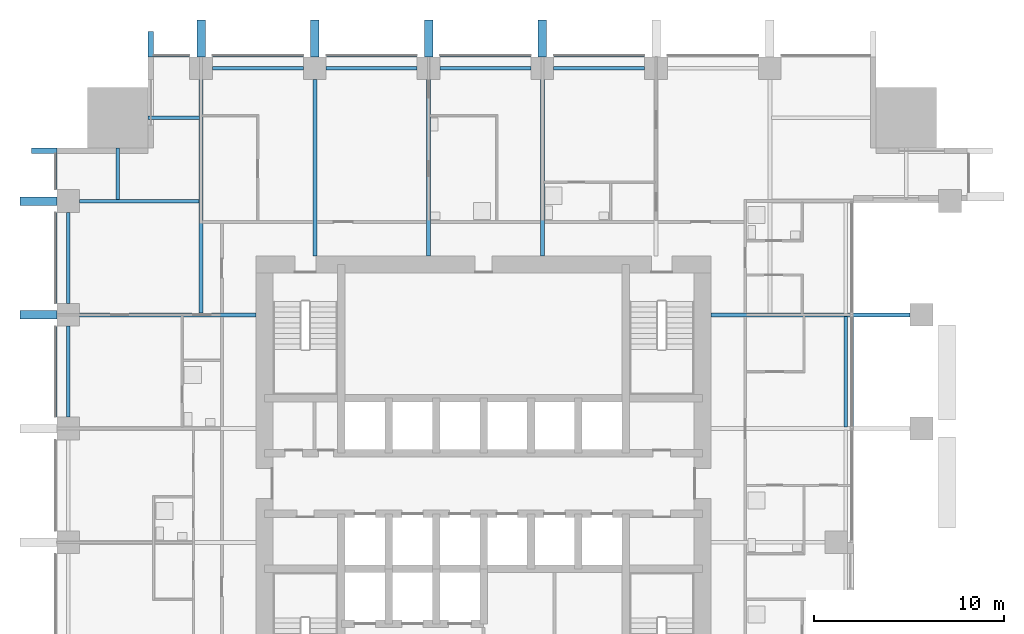
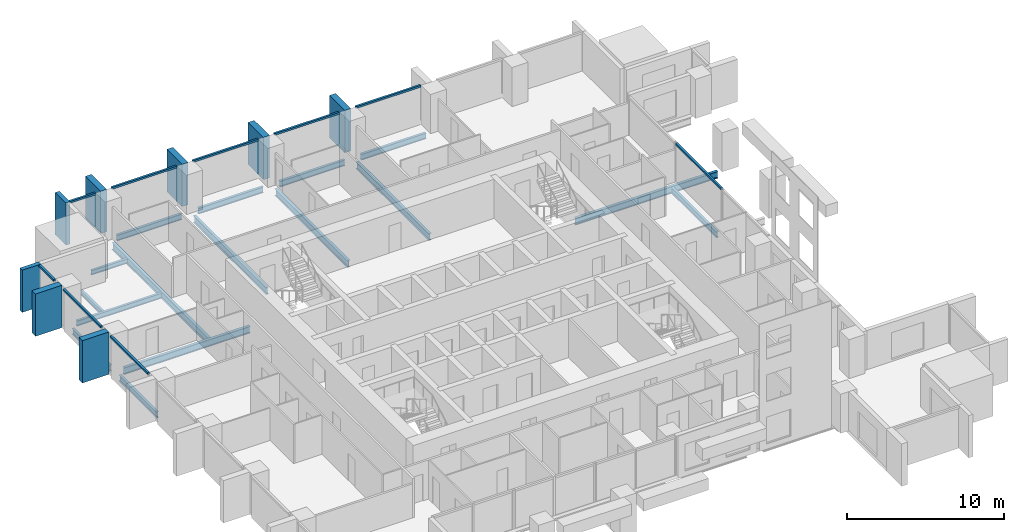
# One storey, part 4 of 13: 17 members, 16 beams, 3 elements without a shape of their own.
"""IFC4 building model written with IfcOpenShell, lengths in metres."""

from ifc_helpers import new_model, si_unit, direction, frame, origin, origin_2d, place, context, subcontext, project, spatial, rectangle, i_section, extrude, material, material_profile, profile_set, type_object, element, aggregate, save


model = new_model("IFC4")

# Units and contexts
model_context = context("Model", 3, precision=1e-05, world=origin(), true_north=direction((0.0, 1.0)))
body_context = subcontext(model_context, "Body", "Model", "MODEL_VIEW")
ifc_project = project(units=[si_unit("LENGTHUNIT", "METRE"), si_unit("AREAUNIT", "SQUARE_METRE"), si_unit("VOLUMEUNIT", "CUBIC_METRE"), si_unit("PLANEANGLEUNIT", "RADIAN"), si_unit("MASSUNIT", "GRAM", prefix="KILO")], contexts=[model_context])

# Site, building, storey
site_placement = place(None, origin())
site = spatial("IfcSite", under=ifc_project, at=site_placement, CompositionType="ELEMENT")
building_placement = place(site_placement, origin())
building = spatial("IfcBuilding", under=site, at=building_placement, Name="Amberfall Residences", CompositionType="ELEMENT")
storey_placement = place(building_placement, frame((0.0, 0.0, 56.5)))
storey = spatial("IfcBuildingStorey", under=building, at=storey_placement, Name="L15", CompositionType="ELEMENT", Elevation=56.5)

# Curtain wall, members
ifc_material_1 = material(Name="Bronze anodised aluminium and glass", Category="aluminium")
curtain_wall_type_1 = type_object("IfcCurtainWallType", Name="Curtain wall CW1 tower unit", PredefinedType="USERDEFINED", material=ifc_material_1)
curtain_wall_1_placement = place(storey_placement, origin())
curtain_wall_1 = element("IfcCurtainWall", 1, at=curtain_wall_1_placement, inside=storey, type_object=curtain_wall_type_1, Name="Curtain wall L15 N N1", ObjectType="UNITISED CURTAIN WALL", PredefinedType="USERDEFINED")
ifc_material_2 = material(Name="Bronze anodised aluminium", Category="aluminium")
ifc_material_profile_1 = material_profile(ifc_material_2, rectangle(XDim=0.14990234375, YDim=0.14990234375, at=origin_2d()), Name="CW1 transom 150 x 150 bronze")
ifc_profile_set_1 = profile_set([ifc_material_profile_1], Name="Bronze anodised aluminium")
member_type_1 = type_object("IfcMemberType", Name="CW1 transom 150 x 150 bronze", PredefinedType="USERDEFINED", material=ifc_profile_set_1)
member_1_placement = place(storey_placement, frame((82.9951171875, 68.074951171875, 2.97509765625), z_axis=(-1.0, 0.0, 0.0), x_axis=(0.0, -1.0, 0.0)))
member_1 = element("IfcMember", 2, at=member_1_placement, type_object=member_type_1, Name="CW1 transom 3.1", ObjectType="TRANSOM", PredefinedType="USERDEFINED", context=body_context, shape_type="SweptSolid", body=[
    extrude(rectangle(XDim=0.14990234375, YDim=0.14990234375, at=origin_2d()), origin(), (0.0, 0.0, 1.0), 4.7900390625),
])
member_2_placement = place(storey_placement, frame((76.9951171875, 68.074951171875, 2.97509765625), z_axis=(-1.0, 0.0, 0.0), x_axis=(0.0, -1.0, 0.0)))
member_2 = element("IfcMember", 3, at=member_2_placement, type_object=member_type_1, Name="CW1 transom 4.1", ObjectType="TRANSOM", PredefinedType="USERDEFINED", context=body_context, shape_type="SweptSolid", body=[
    extrude(rectangle(XDim=0.14990234375, YDim=0.14990234375, at=origin_2d()), origin(), (0.0, 0.0, 1.0), 4.7900390625),
])
member_3_placement = place(storey_placement, frame((70.9951171875, 68.074951171875, 2.97509765625), z_axis=(-1.0, 0.0, 0.0), x_axis=(0.0, -1.0, 0.0)))
member_3 = element("IfcMember", 4, at=member_3_placement, type_object=member_type_1, Name="CW1 transom 5.1", ObjectType="TRANSOM", PredefinedType="USERDEFINED", context=body_context, shape_type="SweptSolid", body=[
    extrude(rectangle(XDim=0.14990234375, YDim=0.14990234375, at=origin_2d()), origin(), (0.0, 0.0, 1.0), 4.7900390625),
])
member_4_placement = place(storey_placement, frame((64.9951171875, 68.074951171875, 2.97509765625), z_axis=(-1.0, 0.0, 0.0), x_axis=(0.0, -1.0, 0.0)))
member_4 = element("IfcMember", 5, at=member_4_placement, type_object=member_type_1, Name="CW1 transom 6.1", ObjectType="TRANSOM", PredefinedType="USERDEFINED", context=body_context, shape_type="SweptSolid", body=[
    extrude(rectangle(XDim=0.14990234375, YDim=0.14990234375, at=origin_2d()), origin(), (0.0, 0.0, 1.0), 4.7900390625),
])
member_5_placement = place(storey_placement, frame((58.9951171875, 68.074951171875, 2.97509765625), z_axis=(-1.0, 0.0, 0.0), x_axis=(0.0, -1.0, 0.0)))
member_5 = element("IfcMember", 6, at=member_5_placement, type_object=member_type_1, Name="CW1 transom 7.1", ObjectType="TRANSOM", PredefinedType="USERDEFINED", context=body_context, shape_type="SweptSolid", body=[
    extrude(rectangle(XDim=0.14990234375, YDim=0.14990234375, at=origin_2d()), origin(), (0.0, 0.0, 1.0), 1.89501953125),
])

curtain_wall_2_placement = place(storey_placement, origin())
curtain_wall_2 = element("IfcCurtainWall", 7, at=curtain_wall_2_placement, inside=storey, type_object=curtain_wall_type_1, Name="Curtain wall L15 W W1", ObjectType="UNITISED CURTAIN WALL", PredefinedType="USERDEFINED")
member_6_placement = place(storey_placement, frame((51.925048828125, 62.89990234375, 2.97509765625), z_axis=(0.0, -1.0, 0.0), x_axis=(1.0, 0.0, 0.0)))
member_6 = element("IfcMember", 8, at=member_6_placement, type_object=member_type_1, Name="CW1 transom 1.1", ObjectType="TRANSOM", PredefinedType="USERDEFINED", context=body_context, shape_type="SweptSolid", body=[
    extrude(rectangle(XDim=0.14990234375, YDim=0.14990234375, at=origin_2d()), origin(), (0.0, 0.0, 1.0), 1.89501953125),
])
member_7_placement = place(storey_placement, frame((51.925048828125, 59.794921875, 2.97509765625), z_axis=(0.0, -1.0, 0.0), x_axis=(1.0, 0.0, 0.0)))
member_7 = element("IfcMember", 9, at=member_7_placement, type_object=member_type_1, Name="CW1 transom 2.1", ObjectType="TRANSOM", PredefinedType="USERDEFINED", context=body_context, shape_type="SweptSolid", body=[
    extrude(rectangle(XDim=0.14990234375, YDim=0.14990234375, at=origin_2d()), origin(), (0.0, 0.0, 1.0), 4.7900390625),
])
member_8_placement = place(storey_placement, frame((51.925048828125, 53.794921875, 2.97509765625), z_axis=(0.0, -1.0, 0.0), x_axis=(1.0, 0.0, 0.0)))
member_8 = element("IfcMember", 10, at=member_8_placement, type_object=member_type_1, Name="CW1 transom 3.1", ObjectType="TRANSOM", PredefinedType="USERDEFINED", context=body_context, shape_type="SweptSolid", body=[
    extrude(rectangle(XDim=0.14990234375, YDim=0.14990234375, at=origin_2d()), origin(), (0.0, 0.0, 1.0), 4.7900390625),
])

# Curtain wall, member
curtain_wall_type_2 = type_object("IfcCurtainWallType", Name="Curtain wall CW3 sky garden glazing", PredefinedType="USERDEFINED", material=ifc_material_1)
curtain_wall_3_placement = place(storey_placement, origin())
curtain_wall_3 = element("IfcCurtainWall", 11, at=curtain_wall_3_placement, inside=storey, type_object=curtain_wall_type_2, Name="Curtain wall L15 E E6", ObjectType="UNITISED CURTAIN WALL", PredefinedType="USERDEFINED")
ifc_material_profile_2 = material_profile(ifc_material_2, rectangle(XDim=0.14990234375, YDim=0.14990234375, at=origin_2d()), Name="CW3 transom 150 x 150 bronze")
ifc_profile_set_2 = profile_set([ifc_material_profile_2], Name="Bronze anodised aluminium")
member_type_2 = type_object("IfcMemberType", Name="CW3 transom 150 x 150 bronze", PredefinedType="USERDEFINED", material=ifc_profile_set_2)
member_9_placement = place(storey_placement, frame((93.925048828125, 48.5, 2.97509765625), z_axis=(0.0, 1.0, 0.0), x_axis=(-1.0, 0.0, 0.0)))
member_9 = element("IfcMember", 12, at=member_9_placement, type_object=member_type_2, Name="CW3 transom 1.1", ObjectType="TRANSOM", PredefinedType="USERDEFINED", context=body_context, shape_type="SweptSolid", body=[
    extrude(rectangle(XDim=0.14990234375, YDim=0.14990234375, at=origin_2d()), origin(), (0.0, 0.0, 1.0), 5.800048828125),
])
aggregate(curtain_wall_3, [member_9])

# Member
ifc_material_profile_3 = material_profile(ifc_material_2, rectangle(XDim=1.35009765625, YDim=0.300048828125, at=origin_2d()), Name="Corner fin 300 x 1350 bronze")
ifc_profile_set_3 = profile_set([ifc_material_profile_3], Name="Bronze anodised aluminium")
member_type_3 = type_object("IfcMemberType", Name="Corner fin 300 x 1350 bronze", PredefinedType="MULLION", material=ifc_profile_set_3)
member_10_placement = place(storey_placement, frame((56.949951171875, 68.675048828125, -0.25), z_axis=(0.0, 0.0, 1.0), x_axis=(0.0, -1.0, 0.0)))
member_10 = element("IfcMember", 13, at=member_10_placement, type_object=member_type_3, Name="CW FIN 8", PredefinedType="MULLION", context=body_context, shape_type="SweptSolid", body=[
    extrude(rectangle(XDim=1.35009765625, YDim=0.300048828125, at=origin_2d()), origin(), (0.0, 0.0, 1.0), 3.300048828125),
])

member_11_placement = place(storey_placement, frame((51.324951171875, 63.050048828125, -0.25), z_axis=(0.0, 0.0, 1.0), x_axis=(1.0, 0.0, 0.0)))
member_11 = element("IfcMember", 14, at=member_11_placement, type_object=member_type_3, Name="CW FIN 1", PredefinedType="MULLION", context=body_context, shape_type="SweptSolid", body=[
    extrude(rectangle(XDim=1.35009765625, YDim=0.300048828125, at=origin_2d()), origin(), (0.0, 0.0, 1.0), 3.300048828125),
])

# Beams
ifc_material_3 = material(Name="Steel S355", Category="steel")
ifc_material_profile_4 = material_profile(ifc_material_3, i_section(OverallWidth=0.18994140625, OverallDepth=0.453369140625, WebThickness=0.008544921875, FlangeThickness=0.0126953125, FilletRadius=0.01025390625, at=origin_2d()), Name="UB 457x191x67")
ifc_profile_set_4 = profile_set([ifc_material_profile_4], Name="Steel S355")
beam_type_1 = type_object("IfcBeamType", Name="Edge beam UB 457x191x67", PredefinedType="SPANDREL", material=ifc_profile_set_4)
beam_1_placement = place(storey_placement, frame((93.60009765625, 48.47998046875, -0.476806640625), z_axis=(0.0, 1.0, 0.0), x_axis=(-1.0, 0.0, 0.0)))
element("IfcBeam", 15, at=beam_1_placement, inside=storey, type_object=beam_type_1, Name="Edge beam B1 L15 15", PredefinedType="SPANDREL", context=body_context, shape_type="SweptSolid", body=[
    extrude(i_section(OverallWidth=0.18994140625, OverallDepth=0.453369140625, WebThickness=0.008544921875, FlangeThickness=0.0126953125, FilletRadius=0.01025390625, at=origin_2d()), origin(), (0.0, 0.0, 1.0), 5.840087890625),
])
for number, where, z_axis, x_axis, name in (
    (16, (60.199951171875, 67.39990234375, -0.476806640625), (1.0, 0.0, 0.0), (0.0, 1.0, 0.0), "Edge beam B1 L15 23"),
    (17, (66.199951171875, 67.39990234375, -0.476806640625), (1.0, 0.0, 0.0), (0.0, 1.0, 0.0), "Edge beam B1 L15 24"),
    (18, (72.199951171875, 67.39990234375, -0.476806640625), (1.0, 0.0, 0.0), (0.0, 1.0, 0.0), "Edge beam B1 L15 25"),
    (19, (78.199951171875, 67.39990234375, -0.476806640625), (1.0, 0.0, 0.0), (0.0, 1.0, 0.0), "Edge beam B1 L15 26"),
    (20, (52.60009765625, 49.0, -0.476806640625), (0.0, 1.0, 0.0), (-1.0, 0.0, 0.0), "Edge beam B1 L15 37"),
    (21, (52.60009765625, 55.0, -0.476806640625), (0.0, 1.0, 0.0), (-1.0, 0.0, 0.0), "Edge beam B1 L15 38"),
):
    element("IfcBeam", number, at=place(storey_placement, frame(where, z_axis=z_axis, x_axis=x_axis)), inside=storey, type_object=beam_type_1, Name=name, PredefinedType="SPANDREL", context=body_context, shape_type="SweptSolid", body=[
        extrude(i_section(OverallWidth=0.18994140625, OverallDepth=0.453369140625, WebThickness=0.008544921875, FlangeThickness=0.0126953125, FilletRadius=0.01025390625, at=origin_2d()), origin(), (0.0, 0.0, 1.0), 4.800048828125),
    ])

# Member
ifc_material_profile_5 = material_profile(ifc_material_2, rectangle(XDim=1.949951171875, YDim=0.449951171875, at=origin_2d()), Name="Fin 450 x 1950 bronze")
ifc_profile_set_5 = profile_set([ifc_material_profile_5], Name="Bronze anodised aluminium")
member_type_4 = type_object("IfcMemberType", Name="Fin 450 x 1950 bronze", PredefinedType="MULLION", material=ifc_profile_set_5)
member_12_placement = place(storey_placement, frame((77.60009765625, 68.97509765625, -0.25), z_axis=(0.0, 0.0, 1.0), x_axis=(0.0, -1.0, 0.0)))
member_12 = element("IfcMember", 22, at=member_12_placement, type_object=member_type_4, Name="CW FIN 4", PredefinedType="MULLION", context=body_context, shape_type="SweptSolid", body=[
    extrude(rectangle(XDim=1.949951171875, YDim=0.449951171875, at=origin_2d()), origin(), (0.0, 0.0, 1.0), 3.300048828125),
])

member_13_placement = place(storey_placement, frame((71.60009765625, 68.97509765625, -0.25), z_axis=(0.0, 0.0, 1.0), x_axis=(0.0, -1.0, 0.0)))
member_13 = element("IfcMember", 23, at=member_13_placement, type_object=member_type_4, Name="CW FIN 5", PredefinedType="MULLION", context=body_context, shape_type="SweptSolid", body=[
    extrude(rectangle(XDim=1.949951171875, YDim=0.449951171875, at=origin_2d()), origin(), (0.0, 0.0, 1.0), 3.300048828125),
])

member_14_placement = place(storey_placement, frame((65.60009765625, 68.97509765625, -0.25), z_axis=(0.0, 0.0, 1.0), x_axis=(0.0, -1.0, 0.0)))
member_14 = element("IfcMember", 24, at=member_14_placement, type_object=member_type_4, Name="CW FIN 6", PredefinedType="MULLION", context=body_context, shape_type="SweptSolid", body=[
    extrude(rectangle(XDim=1.949951171875, YDim=0.449951171875, at=origin_2d()), origin(), (0.0, 0.0, 1.0), 3.300048828125),
])

member_15_placement = place(storey_placement, frame((59.60009765625, 68.97509765625, -0.25), z_axis=(0.0, 0.0, 1.0), x_axis=(0.0, -1.0, 0.0)))
member_15 = element("IfcMember", 25, at=member_15_placement, type_object=member_type_4, Name="CW FIN 7", PredefinedType="MULLION", context=body_context, shape_type="SweptSolid", body=[
    extrude(rectangle(XDim=1.949951171875, YDim=0.449951171875, at=origin_2d()), origin(), (0.0, 0.0, 1.0), 3.300048828125),
])

aggregate(curtain_wall_1, [member_12, member_13, member_14, member_15, member_10, member_1, member_2, member_3, member_4, member_5])

member_16_placement = place(storey_placement, frame((51.02490234375, 60.39990234375, -0.25), z_axis=(0.0, 0.0, 1.0), x_axis=(1.0, 0.0, 0.0)))
member_16 = element("IfcMember", 26, at=member_16_placement, type_object=member_type_4, Name="CW FIN 2", PredefinedType="MULLION", context=body_context, shape_type="SweptSolid", body=[
    extrude(rectangle(XDim=1.949951171875, YDim=0.449951171875, at=origin_2d()), origin(), (0.0, 0.0, 1.0), 3.300048828125),
])

member_17_placement = place(storey_placement, frame((51.02490234375, 54.39990234375, -0.25), z_axis=(0.0, 0.0, 1.0), x_axis=(1.0, 0.0, 0.0)))
member_17 = element("IfcMember", 27, at=member_17_placement, type_object=member_type_4, Name="CW FIN 3", PredefinedType="MULLION", context=body_context, shape_type="SweptSolid", body=[
    extrude(rectangle(XDim=1.949951171875, YDim=0.449951171875, at=origin_2d()), origin(), (0.0, 0.0, 1.0), 3.300048828125),
])

aggregate(curtain_wall_2, [member_11, member_16, member_17, member_6, member_7, member_8])

# Beams
ifc_material_profile_6 = material_profile(ifc_material_3, i_section(OverallWidth=0.177734375, OverallDepth=0.402587890625, WebThickness=0.0078125, FlangeThickness=0.010986328125, FilletRadius=0.01025390625, at=origin_2d()), Name="UB 406x178x54")
ifc_profile_set_6 = profile_set([ifc_material_profile_6], Name="Steel S355")
beam_type_2 = type_object("IfcBeamType", Name="Floor girder UB 406x178x54", PredefinedType="BEAM", material=ifc_profile_set_6)
beam_2_placement = place(storey_placement, frame((53.199951171875, 60.39990234375, -0.451416015625), z_axis=(1.0, 0.0, 0.0), x_axis=(0.0, 1.0, 0.0)))
element("IfcBeam", 28, at=beam_2_placement, inside=storey, type_object=beam_type_2, Name="Floor girder B4 L15 44", PredefinedType="BEAM", context=body_context, shape_type="SweptSolid", body=[
    extrude(i_section(OverallWidth=0.177734375, OverallDepth=0.402587890625, WebThickness=0.0078125, FlangeThickness=0.010986328125, FilletRadius=0.01025390625, at=origin_2d()), origin(), (0.0, 0.0, 1.0), 6.280029296875),
])
ifc_material_profile_7 = material_profile(ifc_material_3, i_section(OverallWidth=0.210693359375, OverallDepth=0.53955078125, WebThickness=0.01171875, FlangeThickness=0.018798828125, FilletRadius=0.0126953125, at=origin_2d()), Name="UB 533x210x109")
ifc_profile_set_7 = profile_set([ifc_material_profile_7], Name="Steel S355")
beam_type_3 = type_object("IfcBeamType", Name="Floor girder UB 533x210x109", PredefinedType="BEAM", material=ifc_profile_set_7)
beam_3_placement = place(storey_placement, frame((59.60009765625, 66.800048828125, -0.519775390625), z_axis=(0.0, -1.0, 0.0), x_axis=(1.0, 0.0, 0.0)))
element("IfcBeam", 29, at=beam_3_placement, inside=storey, type_object=beam_type_3, Name="Floor girder B2 L15 28", PredefinedType="BEAM", context=body_context, shape_type="SweptSolid", body=[
    extrude(i_section(OverallWidth=0.210693359375, OverallDepth=0.53955078125, WebThickness=0.01171875, FlangeThickness=0.018798828125, FilletRadius=0.0126953125, at=origin_2d()), origin(), (0.0, 0.0, 1.0), 12.300537109375),
])
ifc_material_profile_8 = material_profile(ifc_material_3, i_section(OverallWidth=0.209228515625, OverallDepth=0.533203125, WebThickness=0.010009765625, FlangeThickness=0.015625, FilletRadius=0.0126953125, at=origin_2d()), Name="UB 533x210x92")
ifc_profile_set_8 = profile_set([ifc_material_profile_8], Name="Steel S355")
beam_type_4 = type_object("IfcBeamType", Name="Floor girder UB 533x210x92", PredefinedType="BEAM", material=ifc_profile_set_8)
beam_4_placement = place(storey_placement, frame((97.0, 54.39990234375, -0.5166015625), z_axis=(-1.0, 0.0, 0.0), x_axis=(0.0, -1.0, 0.0)))
element("IfcBeam", 30, at=beam_4_placement, inside=storey, type_object=beam_type_4, Name="Floor girder B3 L15 21", PredefinedType="BEAM", context=body_context, shape_type="SweptSolid", body=[
    extrude(i_section(OverallWidth=0.209228515625, OverallDepth=0.533203125, WebThickness=0.010009765625, FlangeThickness=0.015625, FilletRadius=0.0126953125, at=origin_2d()), origin(), (0.0, 0.0, 1.0), 10.5),
])
for number, where, z_axis, x_axis, name in (
    (31, (65.60009765625, 66.800048828125, -0.5166015625), (0.0, -1.0, 0.0), (1.0, 0.0, 0.0), "Floor girder B3 L15 29"),
    (32, (71.60009765625, 66.800048828125, -0.5166015625), (0.0, -1.0, 0.0), (1.0, 0.0, 0.0), "Floor girder B3 L15 30"),
    (33, (77.60009765625, 66.800048828125, -0.5166015625), (0.0, -1.0, 0.0), (1.0, 0.0, 0.0), "Floor girder B3 L15 31"),
    (34, (53.199951171875, 54.39990234375, -0.5166015625), (1.0, 0.0, 0.0), (0.0, 1.0, 0.0), "Floor girder B3 L15 43"),
):
    element("IfcBeam", number, at=place(storey_placement, frame(where, z_axis=z_axis, x_axis=x_axis)), inside=storey, type_object=beam_type_4, Name=name, PredefinedType="BEAM", context=body_context, shape_type="SweptSolid", body=[
        extrude(i_section(OverallWidth=0.209228515625, OverallDepth=0.533203125, WebThickness=0.010009765625, FlangeThickness=0.015625, FilletRadius=0.0126953125, at=origin_2d()), origin(), (0.0, 0.0, 1.0), 9.300048828125),
    ])
ifc_material_profile_9 = material_profile(ifc_material_3, i_section(OverallWidth=0.171142578125, OverallDepth=0.351318359375, WebThickness=0.007080078125, FlangeThickness=0.009765625, FilletRadius=0.01025390625, at=origin_2d()), Name="UB 356x171x45")
ifc_profile_set_9 = profile_set([ifc_material_profile_9], Name="Steel S355")
beam_type_5 = type_object("IfcBeamType", Name="Link beam UB 356x171x45", PredefinedType="BEAM", material=ifc_profile_set_9)
beam_5_placement = place(storey_placement, frame((56.800048828125, 64.800048828125, -0.42578125), z_axis=(1.0, 0.0, 0.0), x_axis=(0.0, 1.0, 0.0)))
element("IfcBeam", 35, at=beam_5_placement, inside=storey, type_object=beam_type_5, Name="Link beam B7 L15 51", PredefinedType="BEAM", context=body_context, shape_type="SweptSolid", body=[
    extrude(i_section(OverallWidth=0.171142578125, OverallDepth=0.351318359375, WebThickness=0.007080078125, FlangeThickness=0.009765625, FilletRadius=0.01025390625, at=origin_2d()), origin(), (0.0, 0.0, 1.0), 2.70458984375),
])
beam_6_placement = place(storey_placement, frame((55.199951171875, 63.199951171875, -0.42578125), z_axis=(0.0, -1.0, 0.0), x_axis=(1.0, 0.0, 0.0)))
element("IfcBeam", 36, at=beam_6_placement, inside=storey, type_object=beam_type_5, Name="Link beam B7 L15 52", PredefinedType="BEAM", context=body_context, shape_type="SweptSolid", body=[
    extrude(i_section(OverallWidth=0.171142578125, OverallDepth=0.351318359375, WebThickness=0.007080078125, FlangeThickness=0.009765625, FilletRadius=0.01025390625, at=origin_2d()), origin(), (0.0, 0.0, 1.0), 2.720947265625),
])

save(model, "model.ifc")
